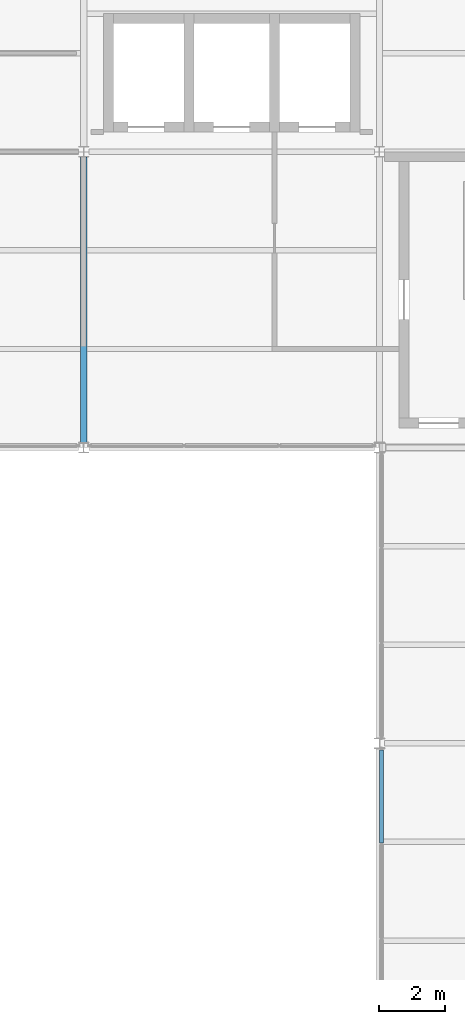
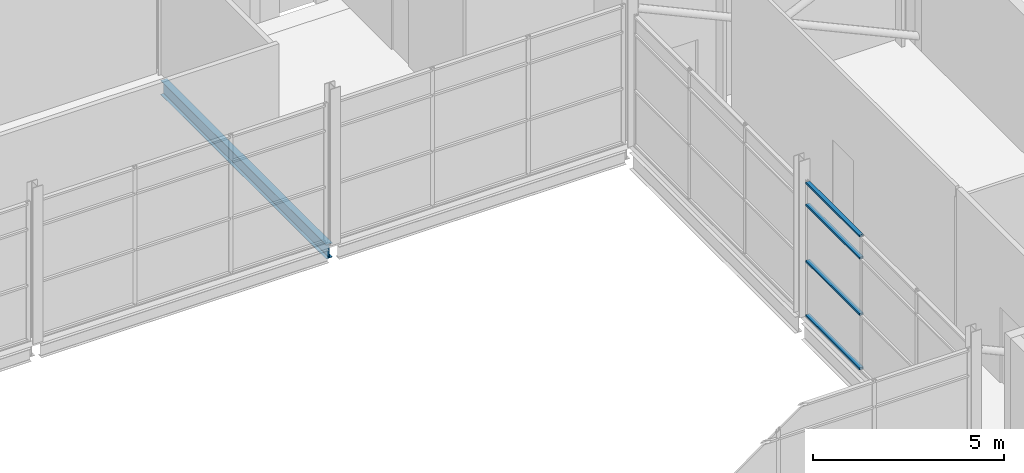
# One storey, part 40 of 61: 4 members, 1 beam, 1 element without a shape of its own.
"""IFC4 building model written with IfcOpenShell, lengths in metres."""

from ifc_helpers import new_model, si_unit, direction, frame, origin, origin_2d, place, context, subcontext, project, spatial, hollow_rectangle, i_section, extrude, material, layer, layer_set, material_profile, profile_set, type_object, element, aggregate, save


model = new_model("IFC4")

# Units and contexts
model_context = context("Model", 3, precision=1e-05, world=origin(), true_north=direction((0.0, 1.0)))
body_context = subcontext(model_context, "Body", "Model", "MODEL_VIEW")
ifc_project = project(units=[si_unit("LENGTHUNIT", "METRE"), si_unit("AREAUNIT", "SQUARE_METRE"), si_unit("VOLUMEUNIT", "CUBIC_METRE"), si_unit("PLANEANGLEUNIT", "RADIAN"), si_unit("MASSUNIT", "GRAM", prefix="KILO")], contexts=[model_context])

# Site, building, storey
site_placement = place(None, origin())
site = spatial("IfcSite", under=ifc_project, at=site_placement, CompositionType="ELEMENT")
building_placement = place(site_placement, origin())
building = spatial("IfcBuilding", under=site, at=building_placement, Name="Shorebreak Coast Museum", CompositionType="ELEMENT")
storey_placement = place(building_placement, frame((0.0, 0.0, 26.0)))
storey = spatial("IfcBuildingStorey", under=building, at=storey_placement, Name="L04", CompositionType="ELEMENT", Elevation=26.0)

# Beam
ifc_material_1 = material(Name="Steel Grade 300", Category="steel")
ifc_material_profile_1 = material_profile(ifc_material_1, i_section(OverallWidth=0.18994140625, OverallDepth=0.453857421875, WebThickness=0.008544921875, FlangeThickness=0.0126953125, FilletRadius=0.011474609375, at=origin_2d()), Name="460UB67.1")
ifc_profile_set_1 = profile_set([ifc_material_profile_1], Name="Steel Grade 300")
beam_type = type_object("IfcBeamType", Name="Floor girder north-south 460UB67.1", PredefinedType="BEAM", material=ifc_profile_set_1)
beam_placement = place(storey_placement, frame((99.0, 81.160400390625, -0.40185546875), z_axis=(0.0, 1.0, 0.0), x_axis=(-1.0, 0.0, 0.0)))
element("IfcBeam", 1, at=beam_placement, inside=storey, type_object=beam_type, Name="Floor girder north-south L04 12K", PredefinedType="BEAM", context=body_context, shape_type="SweptSolid", body=[
    extrude(i_section(OverallWidth=0.18994140625, OverallDepth=0.453857421875, WebThickness=0.008544921875, FlangeThickness=0.0126953125, FilletRadius=0.011474609375, at=origin_2d()), origin(), (0.0, 0.0, 1.0), 8.676025390625),
])

# Curtain wall, members
ifc_material_2 = material(Name="Aluminium", Category="aluminium")
ifc_layer = layer(ifc_material_2, 0.1201171875)
ifc_layer_set = layer_set([ifc_layer], Name="Aluminium")
curtain_wall_type = type_object("IfcCurtainWallType", Name="Atrium fire screen", PredefinedType="NOTDEFINED", material=ifc_layer_set)
curtain_wall_placement = place(storey_placement, origin())
curtain_wall = element("IfcCurtainWall", 2, at=curtain_wall_placement, inside=storey, type_object=curtain_wall_type, Name="Atrium screen L04 E 61", PredefinedType="NOTDEFINED")
ifc_material_3 = material(Name="Aluminium", Category="aluminium")
ifc_material_profile_2 = material_profile(ifc_material_3, hollow_rectangle(XDim=0.1201171875, YDim=0.06005859375, WallThickness=0.00341796875, at=origin_2d()), Name="AL 60x120 RHS")
ifc_profile_set_2 = profile_set([ifc_material_profile_2], Name="Aluminium")
member_type = type_object("IfcMemberType", Name="Screen transom 120 x 50", PredefinedType="USERDEFINED", material=ifc_profile_set_2)
member_1_placement = place(storey_placement, frame((108.06005859375, 68.97265625, 0.06005859375), z_axis=(0.0, 1.0, 0.0), x_axis=(-1.0, 0.0, 0.0)))
member_1 = element("IfcMember", 3, at=member_1_placement, type_object=member_type, Name="CW5 transom 3.1", ObjectType="TRANSOM", PredefinedType="USERDEFINED", context=body_context, shape_type="SweptSolid", body=[
    extrude(hollow_rectangle(XDim=0.1201171875, YDim=0.06005859375, WallThickness=0.00341796875, at=origin_2d()), origin(), (0.0, 0.0, 1.0), 2.820068359375),
])
member_2_placement = place(storey_placement, frame((108.06005859375, 68.97265625, 1.800048828125), z_axis=(0.0, 1.0, 0.0), x_axis=(-1.0, 0.0, 0.0)))
member_2 = element("IfcMember", 4, at=member_2_placement, type_object=member_type, Name="CW5 transom 3.2", ObjectType="TRANSOM", PredefinedType="USERDEFINED", context=body_context, shape_type="SweptSolid", body=[
    extrude(hollow_rectangle(XDim=0.1201171875, YDim=0.06005859375, WallThickness=0.00341796875, at=origin_2d()), origin(), (0.0, 0.0, 1.0), 2.820068359375),
])
member_3_placement = place(storey_placement, frame((108.06005859375, 68.97265625, 3.60009765625), z_axis=(0.0, 1.0, 0.0), x_axis=(-1.0, 0.0, 0.0)))
member_3 = element("IfcMember", 5, at=member_3_placement, type_object=member_type, Name="CW5 transom 3.3", ObjectType="TRANSOM", PredefinedType="USERDEFINED", context=body_context, shape_type="SweptSolid", body=[
    extrude(hollow_rectangle(XDim=0.1201171875, YDim=0.06005859375, WallThickness=0.00341796875, at=origin_2d()), origin(), (0.0, 0.0, 1.0), 2.820068359375),
])
member_4_placement = place(storey_placement, frame((108.06005859375, 68.97265625, 4.3046875), z_axis=(0.0, 1.0, 0.0), x_axis=(-1.0, 0.0, 0.0)))
member_4 = element("IfcMember", 6, at=member_4_placement, type_object=member_type, Name="CW5 transom 3.4", ObjectType="TRANSOM", PredefinedType="USERDEFINED", context=body_context, shape_type="SweptSolid", body=[
    extrude(hollow_rectangle(XDim=0.1201171875, YDim=0.06005859375, WallThickness=0.00341796875, at=origin_2d()), origin(), (0.0, 0.0, 1.0), 2.820068359375),
])
aggregate(curtain_wall, [member_1, member_2, member_3, member_4])

save(model, "model.ifc")
